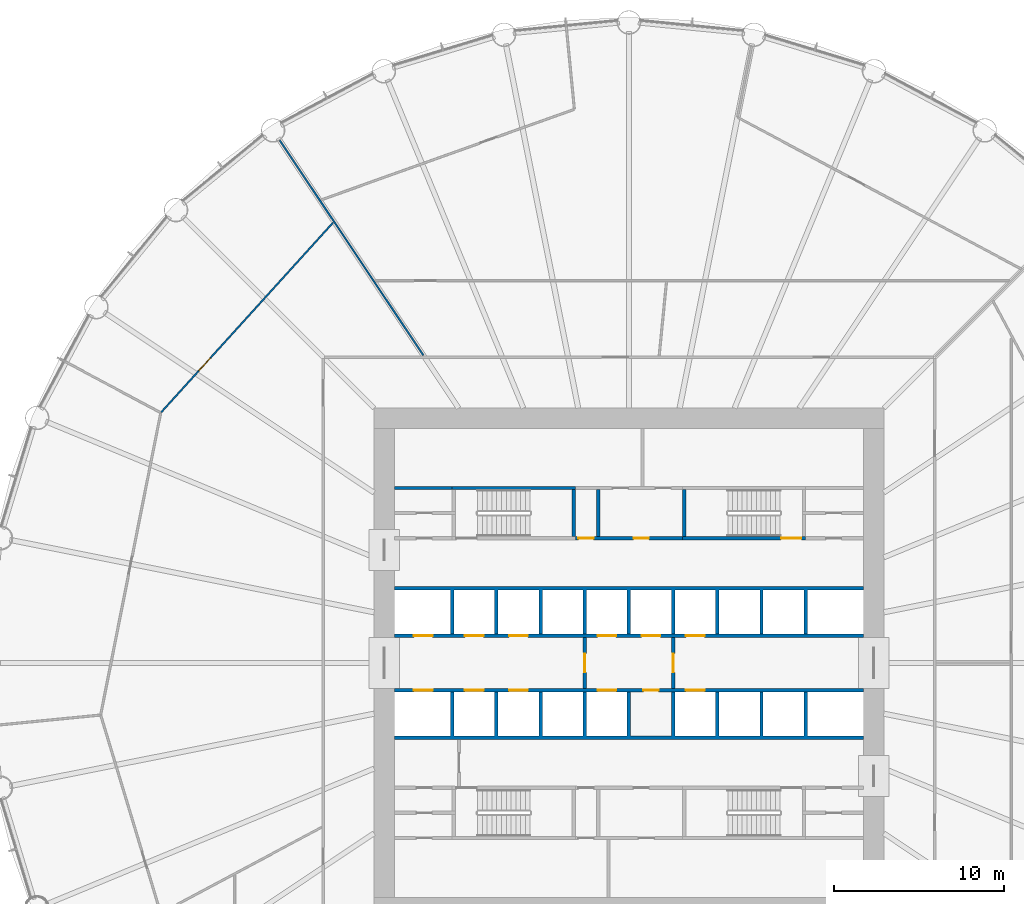
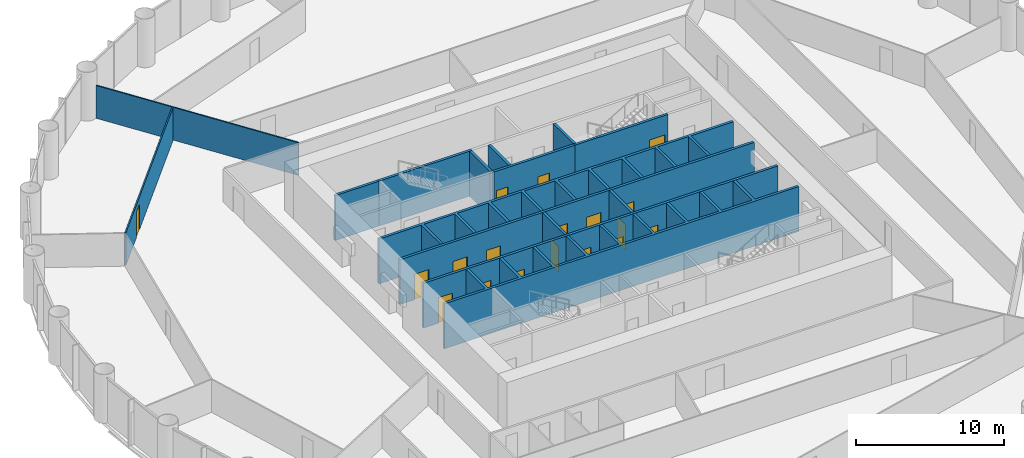
# One storey, part 12 of 15: 18 doors, 15 walls, 18 openings.
"""IFC4 building model written with IfcOpenShell, lengths in metres."""

from ifc_helpers import new_model, si_unit, direction, frame, frame_2d, origin, place, context, subcontext, project, spatial, polyline, rectangle, outline, extrude, material, layer, layer_set, type_object, element, fill, save


model = new_model("IFC4")

# Units and contexts
model_context = context("Model", 3, precision=1e-05, world=origin(), true_north=direction((0.0, 1.0)))
body_context = subcontext(model_context, "Body", "Model", "MODEL_VIEW")
ifc_project = project(units=[si_unit("LENGTHUNIT", "METRE"), si_unit("AREAUNIT", "SQUARE_METRE"), si_unit("VOLUMEUNIT", "CUBIC_METRE"), si_unit("PLANEANGLEUNIT", "RADIAN"), si_unit("MASSUNIT", "GRAM", prefix="KILO")], contexts=[model_context])

# Site, building, storey
site_placement = place(None, origin())
site = spatial("IfcSite", under=ifc_project, at=site_placement, CompositionType="ELEMENT")
building_placement = place(site_placement, origin())
building = spatial("IfcBuilding", under=site, at=building_placement, Name="Corvane Civic Tower", CompositionType="ELEMENT")
storey_placement = place(building_placement, frame((0.0, 0.0, 41.0)))
storey = spatial("IfcBuildingStorey", under=building, at=storey_placement, Name="L08", CompositionType="ELEMENT", Elevation=41.0)

# Wall, openings, doors
ifc_material_1 = material(Name="Concrete C30/37", Category="concrete")
ifc_layer_1 = layer(ifc_material_1, 0.199951171875)
ifc_layer_set_1 = layer_set([ifc_layer_1], Name="Concrete C30/37")
wall_type_1 = type_object("IfcWallType", Name="CR-WALL-200", PredefinedType="PARTITIONING", material=ifc_layer_set_1)
wall_1_placement = place(storey_placement, frame((-13.800048828125, -1.60009765625, 0.0), z_axis=(0.0, 0.0, 1.0), x_axis=(1.0, 0.0, 0.0)))
wall_1 = element("IfcWall", 1, at=wall_1_placement, inside=storey, type_object=wall_type_1, Name="L08 lift shaft wall", PredefinedType="PARTITIONING", context=body_context, shape_type="SweptSolid", body=[
    extrude(rectangle(XDim=27.60009765625, YDim=0.199951171875, at=frame_2d((13.800048828125, 0.0))), origin(), (0.0, 0.0, 1.0), 3.699951171875),
])
opening_1_placement = place(wall_1_placement, frame((1.14990234375, 0.0, 0.0)))
opening_1 = element("IfcOpeningElement", 2, at=opening_1_placement, cuts=wall_1, Name="Opening LD", PredefinedType="OPENING", context=body_context, shape_type="SweptSolid", body=[
    extrude(rectangle(XDim=1.10009765625, YDim=2.10009765625, at=frame_2d((0.550048828125, 1.050048828125))), frame((0.0, 0.10986328125, 0.0), z_axis=(0.0, -1.0, 0.0), x_axis=(1.0, 0.0, 0.0)), (0.0, 0.0, 1.0), 0.219970703125),
])
opening_2_placement = place(wall_1_placement, frame((4.14990234375, 0.0, 0.0)))
opening_2 = element("IfcOpeningElement", 3, at=opening_2_placement, cuts=wall_1, Name="Opening LD", PredefinedType="OPENING", context=body_context, shape_type="SweptSolid", body=[
    extrude(rectangle(XDim=1.10009765625, YDim=2.10009765625, at=frame_2d((0.550048828125, 1.050048828125))), frame((0.0, 0.10986328125, 0.0), z_axis=(0.0, -1.0, 0.0), x_axis=(1.0, 0.0, 0.0)), (0.0, 0.0, 1.0), 0.219970703125),
])
opening_3_placement = place(wall_1_placement, frame((6.75, 0.0, 0.0)))
opening_3 = element("IfcOpeningElement", 4, at=opening_3_placement, cuts=wall_1, Name="Opening LD", PredefinedType="OPENING", context=body_context, shape_type="SweptSolid", body=[
    extrude(rectangle(XDim=1.10009765625, YDim=2.10009765625, at=frame_2d((0.550048828125, 1.050048828125))), frame((0.0, 0.10986328125, 0.0), z_axis=(0.0, -1.0, 0.0), x_axis=(1.0, 0.0, 0.0)), (0.0, 0.0, 1.0), 0.219970703125),
])
opening_4_placement = place(wall_1_placement, frame((11.949951171875, 0.0, 0.0)))
opening_4 = element("IfcOpeningElement", 5, at=opening_4_placement, cuts=wall_1, Name="Opening LD", PredefinedType="OPENING", context=body_context, shape_type="SweptSolid", body=[
    extrude(rectangle(XDim=1.10009765625, YDim=2.10009765625, at=frame_2d((0.550048828125, 1.050048828125))), frame((0.0, 0.10986328125, 0.0), z_axis=(0.0, -1.0, 0.0), x_axis=(1.0, 0.0, 0.0)), (0.0, 0.0, 1.0), 0.219970703125),
])
opening_5_placement = place(wall_1_placement, frame((14.64990234375, 0.0, 0.0)))
opening_5 = element("IfcOpeningElement", 6, at=opening_5_placement, cuts=wall_1, Name="Opening L08.C01", PredefinedType="OPENING", context=body_context, shape_type="SweptSolid", body=[
    extrude(rectangle(XDim=0.89990234375, YDim=2.10009765625, at=frame_2d((0.449951171875, 1.050048828125))), frame((0.0, 0.10986328125, 0.0), z_axis=(0.0, -1.0, 0.0), x_axis=(1.0, 0.0, 0.0)), (0.0, 0.0, 1.0), 0.219970703125),
])
opening_6_placement = place(wall_1_placement, frame((17.14990234375, 0.0, 0.0)))
opening_6 = element("IfcOpeningElement", 7, at=opening_6_placement, cuts=wall_1, Name="Opening LD", PredefinedType="OPENING", context=body_context, shape_type="SweptSolid", body=[
    extrude(rectangle(XDim=1.10009765625, YDim=2.10009765625, at=frame_2d((0.550048828125, 1.050048828125))), frame((0.0, 0.10986328125, 0.0), z_axis=(0.0, -1.0, 0.0), x_axis=(1.0, 0.0, 0.0)), (0.0, 0.0, 1.0), 0.219970703125),
])
ifc_material_2 = material(Name="Steel fire door leaf", Category="steel")
door_type_1 = type_object("IfcDoorType", Name="CR-DOOR-900", OperationType="SINGLE_SWING_LEFT", PredefinedType="DOOR", material=ifc_material_2)
door_1_placement = place(opening_5_placement, origin())
door_1 = element("IfcDoor", 8, at=door_1_placement, inside=storey, type_object=door_type_1, Name="L08 door", OperationType="SINGLE_SWING_LEFT", OverallHeight=2.10009765625, OverallWidth=0.89990234375, PredefinedType="DOOR", context=body_context, shape_type="SweptSolid", body=[
    extrude(rectangle(XDim=0.89990234375, YDim=2.10009765625, at=frame_2d((0.449951171875, 1.050048828125))), frame((0.0, 0.02490234375, 0.0), z_axis=(0.0, -1.0, 0.0), x_axis=(1.0, 0.0, 0.0)), (0.0, 0.0, 1.0), 0.050048828125),
])
fill(opening_5, door_1)
ifc_material_3 = material(Name="Stainless steel 316 door leaves", Category="steel")
door_type_2 = type_object("IfcDoorType", Name="LD", OperationType="DOUBLE_DOOR_SLIDING", PredefinedType="DOOR", material=ifc_material_3)
door_2_placement = place(opening_1_placement, origin())
door_2 = element("IfcDoor", 9, at=door_2_placement, inside=storey, type_object=door_type_2, Name="L08 landing door", OperationType="DOUBLE_DOOR_SLIDING", OverallHeight=2.10009765625, OverallWidth=1.10009765625, PredefinedType="DOOR", context=body_context, shape_type="SweptSolid", body=[
    extrude(rectangle(XDim=1.10009765625, YDim=2.10009765625, at=frame_2d((0.550048828125, 1.050048828125))), frame((0.0, 0.02490234375, 0.0), z_axis=(0.0, -1.0, 0.0), x_axis=(1.0, 0.0, 0.0)), (0.0, 0.0, 1.0), 0.050048828125),
])
fill(opening_1, door_2)
door_3_placement = place(opening_2_placement, origin())
door_3 = element("IfcDoor", 10, at=door_3_placement, inside=storey, type_object=door_type_2, Name="L08 landing door", OperationType="DOUBLE_DOOR_SLIDING", OverallHeight=2.10009765625, OverallWidth=1.10009765625, PredefinedType="DOOR", context=body_context, shape_type="SweptSolid", body=[
    extrude(rectangle(XDim=1.10009765625, YDim=2.10009765625, at=frame_2d((0.550048828125, 1.050048828125))), frame((0.0, 0.02490234375, 0.0), z_axis=(0.0, -1.0, 0.0), x_axis=(1.0, 0.0, 0.0)), (0.0, 0.0, 1.0), 0.050048828125),
])
fill(opening_2, door_3)
door_4_placement = place(opening_3_placement, origin())
door_4 = element("IfcDoor", 11, at=door_4_placement, inside=storey, type_object=door_type_2, Name="L08 landing door", OperationType="DOUBLE_DOOR_SLIDING", OverallHeight=2.10009765625, OverallWidth=1.10009765625, PredefinedType="DOOR", context=body_context, shape_type="SweptSolid", body=[
    extrude(rectangle(XDim=1.10009765625, YDim=2.10009765625, at=frame_2d((0.550048828125, 1.050048828125))), frame((0.0, 0.02490234375, 0.0), z_axis=(0.0, -1.0, 0.0), x_axis=(1.0, 0.0, 0.0)), (0.0, 0.0, 1.0), 0.050048828125),
])
fill(opening_3, door_4)
door_5_placement = place(opening_4_placement, origin())
door_5 = element("IfcDoor", 12, at=door_5_placement, inside=storey, type_object=door_type_2, Name="L08 landing door", OperationType="DOUBLE_DOOR_SLIDING", OverallHeight=2.10009765625, OverallWidth=1.10009765625, PredefinedType="DOOR", context=body_context, shape_type="SweptSolid", body=[
    extrude(rectangle(XDim=1.10009765625, YDim=2.10009765625, at=frame_2d((0.550048828125, 1.050048828125))), frame((0.0, 0.02490234375, 0.0), z_axis=(0.0, -1.0, 0.0), x_axis=(1.0, 0.0, 0.0)), (0.0, 0.0, 1.0), 0.050048828125),
])
fill(opening_4, door_5)
door_6_placement = place(opening_6_placement, origin())
door_6 = element("IfcDoor", 13, at=door_6_placement, inside=storey, type_object=door_type_2, Name="L08 landing door", OperationType="DOUBLE_DOOR_SLIDING", OverallHeight=2.10009765625, OverallWidth=1.10009765625, PredefinedType="DOOR", context=body_context, shape_type="SweptSolid", body=[
    extrude(rectangle(XDim=1.10009765625, YDim=2.10009765625, at=frame_2d((0.550048828125, 1.050048828125))), frame((0.0, 0.02490234375, 0.0), z_axis=(0.0, -1.0, 0.0), x_axis=(1.0, 0.0, 0.0)), (0.0, 0.0, 1.0), 0.050048828125),
])
fill(opening_6, door_6)

wall_2_placement = place(storey_placement, frame((-13.800048828125, 1.60009765625, 0.0), z_axis=(0.0, 0.0, 1.0), x_axis=(1.0, 0.0, 0.0)))
wall_2 = element("IfcWall", 14, at=wall_2_placement, inside=storey, type_object=wall_type_1, Name="L08 lift shaft wall", PredefinedType="PARTITIONING", context=body_context, shape_type="SweptSolid", body=[
    extrude(rectangle(XDim=27.60009765625, YDim=0.199951171875, at=frame_2d((13.800048828125, 0.0))), origin(), (0.0, 0.0, 1.0), 3.699951171875),
])
opening_7_placement = place(wall_2_placement, frame((1.14990234375, 0.0, 0.0)))
opening_7 = element("IfcOpeningElement", 15, at=opening_7_placement, cuts=wall_2, Name="Opening LD", PredefinedType="OPENING", context=body_context, shape_type="SweptSolid", body=[
    extrude(rectangle(XDim=1.10009765625, YDim=2.10009765625, at=frame_2d((0.550048828125, 1.050048828125))), frame((0.0, 0.10986328125, 0.0), z_axis=(0.0, -1.0, 0.0), x_axis=(1.0, 0.0, 0.0)), (0.0, 0.0, 1.0), 0.219970703125),
])
opening_8_placement = place(wall_2_placement, frame((4.14990234375, 0.0, 0.0)))
opening_8 = element("IfcOpeningElement", 16, at=opening_8_placement, cuts=wall_2, Name="Opening LD", PredefinedType="OPENING", context=body_context, shape_type="SweptSolid", body=[
    extrude(rectangle(XDim=1.10009765625, YDim=2.10009765625, at=frame_2d((0.550048828125, 1.050048828125))), frame((0.0, 0.10986328125, 0.0), z_axis=(0.0, -1.0, 0.0), x_axis=(1.0, 0.0, 0.0)), (0.0, 0.0, 1.0), 0.219970703125),
])
opening_9_placement = place(wall_2_placement, frame((6.75, 0.0, 0.0)))
opening_9 = element("IfcOpeningElement", 17, at=opening_9_placement, cuts=wall_2, Name="Opening LD", PredefinedType="OPENING", context=body_context, shape_type="SweptSolid", body=[
    extrude(rectangle(XDim=1.10009765625, YDim=2.10009765625, at=frame_2d((0.550048828125, 1.050048828125))), frame((0.0, 0.10986328125, 0.0), z_axis=(0.0, -1.0, 0.0), x_axis=(1.0, 0.0, 0.0)), (0.0, 0.0, 1.0), 0.219970703125),
])
opening_10_placement = place(wall_2_placement, frame((11.949951171875, 0.0, 0.0)))
opening_10 = element("IfcOpeningElement", 18, at=opening_10_placement, cuts=wall_2, Name="Opening LD", PredefinedType="OPENING", context=body_context, shape_type="SweptSolid", body=[
    extrude(rectangle(XDim=1.10009765625, YDim=2.10009765625, at=frame_2d((0.550048828125, 1.050048828125))), frame((0.0, 0.10986328125, 0.0), z_axis=(0.0, -1.0, 0.0), x_axis=(1.0, 0.0, 0.0)), (0.0, 0.0, 1.0), 0.219970703125),
])
opening_11_placement = place(wall_2_placement, frame((14.550048828125, 0.0, 0.0)))
opening_11 = element("IfcOpeningElement", 19, at=opening_11_placement, cuts=wall_2, Name="Opening LD", PredefinedType="OPENING", context=body_context, shape_type="SweptSolid", body=[
    extrude(rectangle(XDim=1.10009765625, YDim=2.10009765625, at=frame_2d((0.550048828125, 1.050048828125))), frame((0.0, 0.10986328125, 0.0), z_axis=(0.0, -1.0, 0.0), x_axis=(1.0, 0.0, 0.0)), (0.0, 0.0, 1.0), 0.219970703125),
])
opening_12_placement = place(wall_2_placement, frame((17.14990234375, 0.0, 0.0)))
opening_12 = element("IfcOpeningElement", 20, at=opening_12_placement, cuts=wall_2, Name="Opening LD", PredefinedType="OPENING", context=body_context, shape_type="SweptSolid", body=[
    extrude(rectangle(XDim=1.10009765625, YDim=2.10009765625, at=frame_2d((0.550048828125, 1.050048828125))), frame((0.0, 0.10986328125, 0.0), z_axis=(0.0, -1.0, 0.0), x_axis=(1.0, 0.0, 0.0)), (0.0, 0.0, 1.0), 0.219970703125),
])
door_7_placement = place(opening_7_placement, origin())
door_7 = element("IfcDoor", 21, at=door_7_placement, inside=storey, type_object=door_type_2, Name="L08 landing door", OperationType="DOUBLE_DOOR_SLIDING", OverallHeight=2.10009765625, OverallWidth=1.10009765625, PredefinedType="DOOR", context=body_context, shape_type="SweptSolid", body=[
    extrude(rectangle(XDim=1.10009765625, YDim=2.10009765625, at=frame_2d((0.550048828125, 1.050048828125))), frame((0.0, 0.02490234375, 0.0), z_axis=(0.0, -1.0, 0.0), x_axis=(1.0, 0.0, 0.0)), (0.0, 0.0, 1.0), 0.050048828125),
])
fill(opening_7, door_7)
door_8_placement = place(opening_8_placement, origin())
door_8 = element("IfcDoor", 22, at=door_8_placement, inside=storey, type_object=door_type_2, Name="L08 landing door", OperationType="DOUBLE_DOOR_SLIDING", OverallHeight=2.10009765625, OverallWidth=1.10009765625, PredefinedType="DOOR", context=body_context, shape_type="SweptSolid", body=[
    extrude(rectangle(XDim=1.10009765625, YDim=2.10009765625, at=frame_2d((0.550048828125, 1.050048828125))), frame((0.0, 0.02490234375, 0.0), z_axis=(0.0, -1.0, 0.0), x_axis=(1.0, 0.0, 0.0)), (0.0, 0.0, 1.0), 0.050048828125),
])
fill(opening_8, door_8)
door_9_placement = place(opening_9_placement, origin())
door_9 = element("IfcDoor", 23, at=door_9_placement, inside=storey, type_object=door_type_2, Name="L08 landing door", OperationType="DOUBLE_DOOR_SLIDING", OverallHeight=2.10009765625, OverallWidth=1.10009765625, PredefinedType="DOOR", context=body_context, shape_type="SweptSolid", body=[
    extrude(rectangle(XDim=1.10009765625, YDim=2.10009765625, at=frame_2d((0.550048828125, 1.050048828125))), frame((0.0, 0.02490234375, 0.0), z_axis=(0.0, -1.0, 0.0), x_axis=(1.0, 0.0, 0.0)), (0.0, 0.0, 1.0), 0.050048828125),
])
fill(opening_9, door_9)
door_10_placement = place(opening_10_placement, origin())
door_10 = element("IfcDoor", 24, at=door_10_placement, inside=storey, type_object=door_type_2, Name="L08 landing door", OperationType="DOUBLE_DOOR_SLIDING", OverallHeight=2.10009765625, OverallWidth=1.10009765625, PredefinedType="DOOR", context=body_context, shape_type="SweptSolid", body=[
    extrude(rectangle(XDim=1.10009765625, YDim=2.10009765625, at=frame_2d((0.550048828125, 1.050048828125))), frame((0.0, 0.02490234375, 0.0), z_axis=(0.0, -1.0, 0.0), x_axis=(1.0, 0.0, 0.0)), (0.0, 0.0, 1.0), 0.050048828125),
])
fill(opening_10, door_10)
door_11_placement = place(opening_11_placement, origin())
door_11 = element("IfcDoor", 25, at=door_11_placement, inside=storey, type_object=door_type_2, Name="L08 landing door", OperationType="DOUBLE_DOOR_SLIDING", OverallHeight=2.10009765625, OverallWidth=1.10009765625, PredefinedType="DOOR", context=body_context, shape_type="SweptSolid", body=[
    extrude(rectangle(XDim=1.10009765625, YDim=2.10009765625, at=frame_2d((0.550048828125, 1.050048828125))), frame((0.0, 0.02490234375, 0.0), z_axis=(0.0, -1.0, 0.0), x_axis=(1.0, 0.0, 0.0)), (0.0, 0.0, 1.0), 0.050048828125),
])
fill(opening_11, door_11)
door_12_placement = place(opening_12_placement, origin())
door_12 = element("IfcDoor", 26, at=door_12_placement, inside=storey, type_object=door_type_2, Name="L08 landing door", OperationType="DOUBLE_DOOR_SLIDING", OverallHeight=2.10009765625, OverallWidth=1.10009765625, PredefinedType="DOOR", context=body_context, shape_type="SweptSolid", body=[
    extrude(rectangle(XDim=1.10009765625, YDim=2.10009765625, at=frame_2d((0.550048828125, 1.050048828125))), frame((0.0, 0.02490234375, 0.0), z_axis=(0.0, -1.0, 0.0), x_axis=(1.0, 0.0, 0.0)), (0.0, 0.0, 1.0), 0.050048828125),
])
fill(opening_12, door_12)

wall_3_placement = place(storey_placement, frame((-3.14990234375, 7.35009765625, 0.0), z_axis=(0.0, 0.0, 1.0), x_axis=(1.0, 0.0, 0.0)))
wall_3 = element("IfcWall", 27, at=wall_3_placement, inside=storey, type_object=wall_type_1, Name="L08 core partition wall", PredefinedType="PARTITIONING", context=body_context, shape_type="SweptSolid", body=[
    extrude(rectangle(XDim=6.2998046875, YDim=0.199951171875, at=frame_2d((3.14990234375, 0.0))), origin(), (0.0, 0.0, 1.0), 3.699951171875),
])
opening_13_placement = place(wall_3_placement, frame((0.175048828125, 0.0, 0.0)))
opening_13 = element("IfcOpeningElement", 28, at=opening_13_placement, cuts=wall_3, Name="Opening L08.C02", PredefinedType="OPENING", context=body_context, shape_type="SweptSolid", body=[
    extrude(rectangle(XDim=0.89990234375, YDim=2.10009765625, at=frame_2d((0.449951171875, 1.050048828125))), frame((0.0, 0.10986328125, 0.0), z_axis=(0.0, -1.0, 0.0), x_axis=(1.0, 0.0, 0.0)), (0.0, 0.0, 1.0), 0.219970703125),
])
opening_14_placement = place(wall_3_placement, frame((3.425048828125, 0.0, 0.0)))
opening_14 = element("IfcOpeningElement", 29, at=opening_14_placement, cuts=wall_3, Name="Opening L08.C03", PredefinedType="OPENING", context=body_context, shape_type="SweptSolid", body=[
    extrude(rectangle(XDim=0.89990234375, YDim=2.10009765625, at=frame_2d((0.449951171875, 1.050048828125))), frame((0.0, 0.10986328125, 0.0), z_axis=(0.0, -1.0, 0.0), x_axis=(1.0, 0.0, 0.0)), (0.0, 0.0, 1.0), 0.219970703125),
])
door_13_placement = place(opening_13_placement, origin())
door_13 = element("IfcDoor", 30, at=door_13_placement, inside=storey, type_object=door_type_1, Name="L08 door", OperationType="SINGLE_SWING_LEFT", OverallHeight=2.10009765625, OverallWidth=0.89990234375, PredefinedType="DOOR", context=body_context, shape_type="SweptSolid", body=[
    extrude(rectangle(XDim=0.89990234375, YDim=2.10009765625, at=frame_2d((0.449951171875, 1.050048828125))), frame((0.0, 0.02490234375, 0.0), z_axis=(0.0, -1.0, 0.0), x_axis=(1.0, 0.0, 0.0)), (0.0, 0.0, 1.0), 0.050048828125),
])
fill(opening_13, door_13)
door_14_placement = place(opening_14_placement, origin())
door_14 = element("IfcDoor", 31, at=door_14_placement, inside=storey, type_object=door_type_1, Name="L08 door", OperationType="SINGLE_SWING_LEFT", OverallHeight=2.10009765625, OverallWidth=0.89990234375, PredefinedType="DOOR", context=body_context, shape_type="SweptSolid", body=[
    extrude(rectangle(XDim=0.89990234375, YDim=2.10009765625, at=frame_2d((0.449951171875, 1.050048828125))), frame((0.0, 0.02490234375, 0.0), z_axis=(0.0, -1.0, 0.0), x_axis=(1.0, 0.0, 0.0)), (0.0, 0.0, 1.0), 0.050048828125),
])
fill(opening_14, door_14)

# Wall, opening, door
wall_4_placement = place(storey_placement, frame((-2.60009765625, -1.5, 0.0), z_axis=(0.0, 0.0, 1.0), x_axis=(0.0, 1.0, 0.0)))
wall_4 = element("IfcWall", 32, at=wall_4_placement, inside=storey, type_object=wall_type_1, Name="L08 firefighting lobby wall", PredefinedType="PARTITIONING", context=body_context, shape_type="SweptSolid", body=[
    extrude(rectangle(XDim=3.0, YDim=0.199951171875, at=frame_2d((1.5, 0.0))), origin(), (0.0, 0.0, 1.0), 3.699951171875),
])
opening_15_placement = place(wall_4_placement, frame((0.949951171875, 0.0, 0.0)))
opening_15 = element("IfcOpeningElement", 33, at=opening_15_placement, cuts=wall_4, Name="Opening L08.C23", PredefinedType="OPENING", context=body_context, shape_type="SweptSolid", body=[
    extrude(rectangle(XDim=1.10009765625, YDim=2.10009765625, at=frame_2d((0.550048828125, 1.050048828125))), frame((0.0, 0.10986328125, 0.0), z_axis=(0.0, -1.0, 0.0), x_axis=(1.0, 0.0, 0.0)), (0.0, 0.0, 1.0), 0.219970703125),
])
ifc_material_4 = material(Name="Steel fire door leaf", Category="steel")
door_type_3 = type_object("IfcDoorType", Name="CR-DOOR-FFL-1100", OperationType="SINGLE_SWING_LEFT", PredefinedType="DOOR", material=ifc_material_4)
door_15_placement = place(opening_15_placement, origin())
door_15 = element("IfcDoor", 34, at=door_15_placement, inside=storey, type_object=door_type_3, Name="L08 lobby door", OperationType="SINGLE_SWING_LEFT", OverallHeight=2.10009765625, OverallWidth=1.10009765625, PredefinedType="DOOR", context=body_context, shape_type="SweptSolid", body=[
    extrude(rectangle(XDim=1.10009765625, YDim=2.10009765625, at=frame_2d((0.550048828125, 1.050048828125))), frame((0.0, 0.02490234375, 0.0), z_axis=(0.0, -1.0, 0.0), x_axis=(1.0, 0.0, 0.0)), (0.0, 0.0, 1.0), 0.050048828125),
])
fill(opening_15, door_15)

wall_5_placement = place(storey_placement, frame((2.60009765625, -1.5, 0.0), z_axis=(0.0, 0.0, 1.0), x_axis=(0.0, 1.0, 0.0)))
wall_5 = element("IfcWall", 35, at=wall_5_placement, inside=storey, type_object=wall_type_1, Name="L08 firefighting lobby wall", PredefinedType="PARTITIONING", context=body_context, shape_type="SweptSolid", body=[
    extrude(rectangle(XDim=3.0, YDim=0.199951171875, at=frame_2d((1.5, 0.0))), origin(), (0.0, 0.0, 1.0), 3.699951171875),
])
opening_16_placement = place(wall_5_placement, frame((0.949951171875, 0.0, 0.0)))
opening_16 = element("IfcOpeningElement", 36, at=opening_16_placement, cuts=wall_5, Name="Opening L08.C24", PredefinedType="OPENING", context=body_context, shape_type="SweptSolid", body=[
    extrude(rectangle(XDim=1.10009765625, YDim=2.10009765625, at=frame_2d((0.550048828125, 1.050048828125))), frame((0.0, 0.10986328125, 0.0), z_axis=(0.0, -1.0, 0.0), x_axis=(1.0, 0.0, 0.0)), (0.0, 0.0, 1.0), 0.219970703125),
])
door_16_placement = place(opening_16_placement, origin())
door_16 = element("IfcDoor", 37, at=door_16_placement, inside=storey, type_object=door_type_3, Name="L08 lobby door", OperationType="SINGLE_SWING_LEFT", OverallHeight=2.10009765625, OverallWidth=1.10009765625, PredefinedType="DOOR", context=body_context, shape_type="SweptSolid", body=[
    extrude(rectangle(XDim=1.10009765625, YDim=2.10009765625, at=frame_2d((0.550048828125, 1.050048828125))), frame((0.0, 0.02490234375, 0.0), z_axis=(0.0, -1.0, 0.0), x_axis=(1.0, 0.0, 0.0)), (0.0, 0.0, 1.0), 0.050048828125),
])
fill(opening_16, door_16)

# Walls
wall_6_placement = place(storey_placement, origin())
element("IfcWall", 38, at=wall_6_placement, inside=storey, type_object=wall_type_1, Name="L08 core partition wall", PredefinedType="PARTITIONING", context=body_context, shape_type="SweptSolid", body=[
    extrude(outline(polyline([(-13.800048828125, 10.199951171875), (-13.800048828125, 10.39990234375), (-10.39990234375, 10.39990234375), (-10.39990234375, 10.199951171875), (-13.800048828125, 10.199951171875)])), origin(), (0.0, 0.0, 1.0), 3.699951171875),
])
wall_7_placement = place(storey_placement, origin())
element("IfcWall", 39, at=wall_7_placement, inside=storey, type_object=wall_type_1, Name="L08 core partition wall", PredefinedType="PARTITIONING", context=body_context, shape_type="SweptSolid", body=[
    extrude(outline(polyline([(-1.699951171875, 10.199951171875), (-1.699951171875, 7.449951171875), (-1.89990234375, 7.449951171875), (-1.89990234375, 10.199951171875), (-1.699951171875, 10.199951171875)])), origin(), (0.0, 0.0, 1.0), 3.699951171875),
])
wall_8_placement = place(storey_placement, origin())
element("IfcWall", 40, at=wall_8_placement, inside=storey, type_object=wall_type_1, Name="L08 core partition wall", PredefinedType="PARTITIONING", context=body_context, shape_type="SweptSolid", body=[
    extrude(outline(polyline([(-10.300048828125, -1.699951171875), (-10.300048828125, -4.300048828125), (-7.89990234375, -4.300048828125), (-7.89990234375, -1.699951171875), (-7.699951171875, -1.699951171875), (-7.699951171875, -4.300048828125), (-5.300048828125, -4.300048828125), (-5.300048828125, -1.699951171875), (-5.10009765625, -1.699951171875), (-5.10009765625, -4.300048828125), (-2.699951171875, -4.300048828125), (-2.699951171875, -1.699951171875), (-2.5, -1.699951171875), (-2.5, -4.300048828125), (-0.10009765625, -4.300048828125), (-0.10009765625, -1.699951171875), (0.10009765625, -1.699951171875), (0.10009765625, -4.300048828125), (2.5, -4.300048828125), (2.5, -1.699951171875), (2.699951171875, -1.699951171875), (2.699951171875, -4.300048828125), (5.10009765625, -4.300048828125), (5.10009765625, -1.699951171875), (5.300048828125, -1.699951171875), (5.300048828125, -4.300048828125), (7.699951171875, -4.300048828125), (7.699951171875, -1.699951171875), (7.89990234375, -1.699951171875), (7.89990234375, -4.300048828125), (10.300048828125, -4.300048828125), (10.300048828125, -1.699951171875), (10.5, -1.699951171875), (10.5, -4.300048828125), (13.800048828125, -4.300048828125), (13.800048828125, -4.5), (-13.800048828125, -4.5), (-13.800048828125, -4.300048828125), (-10.5, -4.300048828125), (-10.5, -1.699951171875), (-10.300048828125, -1.699951171875)])), origin(), (0.0, 0.0, 1.0), 3.699951171875),
])
wall_9_placement = place(storey_placement, origin())
element("IfcWall", 41, at=wall_9_placement, inside=storey, type_object=wall_type_1, Name="L08 core partition wall", PredefinedType="PARTITIONING", context=body_context, shape_type="SweptSolid", body=[
    extrude(outline(polyline([(-10.300048828125, 1.699951171875), (-10.5, 1.699951171875), (-10.5, 4.300048828125), (-13.800048828125, 4.300048828125), (-13.800048828125, 4.5), (13.800048828125, 4.5), (13.800048828125, 4.300048828125), (10.5, 4.300048828125), (10.5, 1.699951171875), (10.300048828125, 1.699951171875), (10.300048828125, 4.300048828125), (7.89990234375, 4.300048828125), (7.89990234375, 1.699951171875), (7.699951171875, 1.699951171875), (7.699951171875, 4.300048828125), (5.300048828125, 4.300048828125), (5.300048828125, 1.699951171875), (5.10009765625, 1.699951171875), (5.10009765625, 4.300048828125), (2.699951171875, 4.300048828125), (2.699951171875, 1.699951171875), (2.5, 1.699951171875), (2.5, 4.300048828125), (0.10009765625, 4.300048828125), (0.10009765625, 1.699951171875), (-0.10009765625, 1.699951171875), (-0.10009765625, 4.300048828125), (-2.5, 4.300048828125), (-2.5, 1.699951171875), (-2.699951171875, 1.699951171875), (-2.699951171875, 4.300048828125), (-5.10009765625, 4.300048828125), (-5.10009765625, 1.699951171875), (-5.300048828125, 1.699951171875), (-5.300048828125, 4.300048828125), (-7.699951171875, 4.300048828125), (-7.699951171875, 1.699951171875), (-7.89990234375, 1.699951171875), (-7.89990234375, 4.300048828125), (-10.300048828125, 4.300048828125), (-10.300048828125, 1.699951171875)])), origin(), (0.0, 0.0, 1.0), 3.699951171875),
])

# Wall, opening, door
ifc_material_5 = material(Name="Plasterboard")
ifc_layer_2 = layer(ifc_material_5, 0.10009765625)
ifc_layer_set_2 = layer_set([ifc_layer_2], Name="Plasterboard")
wall_type_2 = type_object("IfcWallType", Name="Partition 100 plasterboard on studs", PredefinedType="PARTITIONING", material=ifc_layer_set_2)
wall_10_placement = place(storey_placement, frame((-27.52685546875, 14.75634765625, 0.0), z_axis=(0.0, 0.0, 1.0), x_axis=(0.671559148707, 0.740950949651, 0.0)))
wall_10 = element("IfcWall", 42, at=wall_10_placement, inside=storey, type_object=wall_type_2, Name="Partition L08.028", PredefinedType="PARTITIONING", context=body_context, shape_type="SweptSolid", body=[
    extrude(rectangle(XDim=15.079345703125, YDim=0.10009765625, at=frame_2d((7.53955078125, 0.0))), origin(), (0.0, 0.0, 1.0), 2.699951171875),
])
opening_17_placement = place(wall_10_placement, frame((3.303466796875, 0.0, 0.0)))
opening_17 = element("IfcOpeningElement", 43, at=opening_17_placement, cuts=wall_10, Name="Opening L08.018", PredefinedType="OPENING", context=body_context, shape_type="SweptSolid", body=[
    extrude(rectangle(XDim=1.0, YDim=2.10009765625, at=frame_2d((0.5, 1.050048828125))), frame((0.0, 0.06005859375, 0.0), z_axis=(0.0, -1.0, 0.0), x_axis=(1.0, 0.0, 0.0)), (0.0, 0.0, 1.0), 0.1201171875),
])
ifc_material_6 = material(Name="Timber", Category="wood")
door_type_4 = type_object("IfcDoorType", Name="Single door 1000", OperationType="NOTDEFINED", PredefinedType="DOOR", material=ifc_material_6)
door_17_placement = place(opening_17_placement, origin())
door_17 = element("IfcDoor", 44, at=door_17_placement, inside=storey, type_object=door_type_4, Name="Door L08.018", OperationType="SINGLE_SWING_LEFT", OverallHeight=2.10009765625, OverallWidth=1.0, PredefinedType="DOOR", context=body_context, shape_type="SweptSolid", body=[
    extrude(rectangle(XDim=1.0, YDim=2.10009765625, at=frame_2d((0.5, 1.050048828125))), frame((0.0, 0.02490234375, 0.0), z_axis=(0.0, -1.0, 0.0), x_axis=(1.0, 0.0, 0.0)), (0.0, 0.0, 1.0), 0.050048828125),
])
fill(opening_17, door_17)

# Wall
wall_11_placement = place(storey_placement, frame((-20.550537109375, 30.756103515625, 0.0), z_axis=(0.0, 0.0, 1.0), x_axis=(0.555566213074, -0.83147229833, 0.0)))
element("IfcWall", 45, at=wall_11_placement, inside=storey, type_object=wall_type_2, Name="Partition L08.032", PredefinedType="PARTITIONING", context=body_context, shape_type="SweptSolid", body=[
    extrude(rectangle(XDim=15.218017578125, YDim=0.10009765625, at=frame_2d((7.60888671875, 0.0))), origin(), (0.0, 0.0, 1.0), 2.699951171875),
])

# Wall, opening, door
ifc_material_7 = material(Name="Concrete C50/60", Category="concrete")
ifc_layer_3 = layer(ifc_material_7, 0.199951171875)
ifc_layer_set_3 = layer_set([ifc_layer_3], Name="Concrete C50/60")
wall_type_3 = type_object("IfcWallType", Name="ST-WALL-200", PredefinedType="SHEAR", material=ifc_layer_set_3)
wall_12_placement = place(storey_placement, frame((3.14990234375, 7.35009765625, 0.0), z_axis=(0.0, 0.0, 1.0), x_axis=(1.0, 0.0, 0.0)))
wall_12 = element("IfcWall", 46, at=wall_12_placement, inside=storey, type_object=wall_type_3, Name="L08 stair enclosure wall", PredefinedType="SHEAR", context=body_context, shape_type="SweptSolid", body=[
    extrude(rectangle(XDim=7.25, YDim=0.199951171875, at=frame_2d((3.625, 0.0))), origin(), (0.0, 0.0, 1.0), 3.699951171875),
])
opening_18_placement = place(wall_12_placement, frame((5.800048828125, 0.0, 0.0)))
opening_18 = element("IfcOpeningElement", 47, at=opening_18_placement, cuts=wall_12, Name="Opening L08.C19", PredefinedType="OPENING", context=body_context, shape_type="SweptSolid", body=[
    extrude(rectangle(XDim=1.199951171875, YDim=2.10009765625, at=frame_2d((0.60009765625, 1.050048828125))), frame((0.0, 0.10986328125, 0.0), z_axis=(0.0, -1.0, 0.0), x_axis=(1.0, 0.0, 0.0)), (0.0, 0.0, 1.0), 0.219970703125),
])
ifc_material_8 = material(Name="Steel fire door leaf", Category="steel")
door_type_5 = type_object("IfcDoorType", Name="ST-DOOR-1200", OperationType="SINGLE_SWING_RIGHT", PredefinedType="DOOR", material=ifc_material_8)
door_18_placement = place(opening_18_placement, origin())
door_18 = element("IfcDoor", 48, at=door_18_placement, inside=storey, type_object=door_type_5, Name="L08 stair door", OperationType="SINGLE_SWING_RIGHT", OverallHeight=2.10009765625, OverallWidth=1.199951171875, PredefinedType="DOOR", context=body_context, shape_type="SweptSolid", body=[
    extrude(rectangle(XDim=1.199951171875, YDim=2.10009765625, at=frame_2d((0.60009765625, 1.050048828125))), frame((0.0, 0.02490234375, 0.0), z_axis=(0.0, -1.0, 0.0), x_axis=(1.0, 0.0, 0.0)), (0.0, 0.0, 1.0), 0.050048828125),
])
fill(opening_18, door_18)

# Walls
wall_13_placement = place(storey_placement, origin())
element("IfcWall", 49, at=wall_13_placement, inside=storey, type_object=wall_type_3, Name="L08 stair enclosure wall", PredefinedType="SHEAR", context=body_context, shape_type="SweptSolid", body=[
    extrude(outline(polyline([(-3.14990234375, 10.199951171875), (-10.39990234375, 10.199951171875), (-10.39990234375, 10.39990234375), (-3.14990234375, 10.39990234375), (-3.14990234375, 10.199951171875)])), origin(), (0.0, 0.0, 1.0), 3.699951171875),
])
wall_14_placement = place(storey_placement, origin())
element("IfcWall", 50, at=wall_14_placement, inside=storey, type_object=wall_type_3, Name="L08 stair enclosure wall", PredefinedType="SHEAR", context=body_context, shape_type="SweptSolid", body=[
    extrude(outline(polyline([(-3.14990234375, 7.449951171875), (-3.35009765625, 7.449951171875), (-3.35009765625, 10.199951171875), (-3.14990234375, 10.199951171875), (-3.14990234375, 7.449951171875)])), origin(), (0.0, 0.0, 1.0), 3.699951171875),
])
wall_15_placement = place(storey_placement, origin())
element("IfcWall", 51, at=wall_15_placement, inside=storey, type_object=wall_type_3, Name="L08 stair enclosure wall", PredefinedType="SHEAR", context=body_context, shape_type="SweptSolid", body=[
    extrude(outline(polyline([(3.35009765625, 7.449951171875), (3.14990234375, 7.449951171875), (3.14990234375, 10.199951171875), (3.35009765625, 10.199951171875), (3.35009765625, 7.449951171875)])), origin(), (0.0, 0.0, 1.0), 3.699951171875),
])

save(model, "model.ifc")
